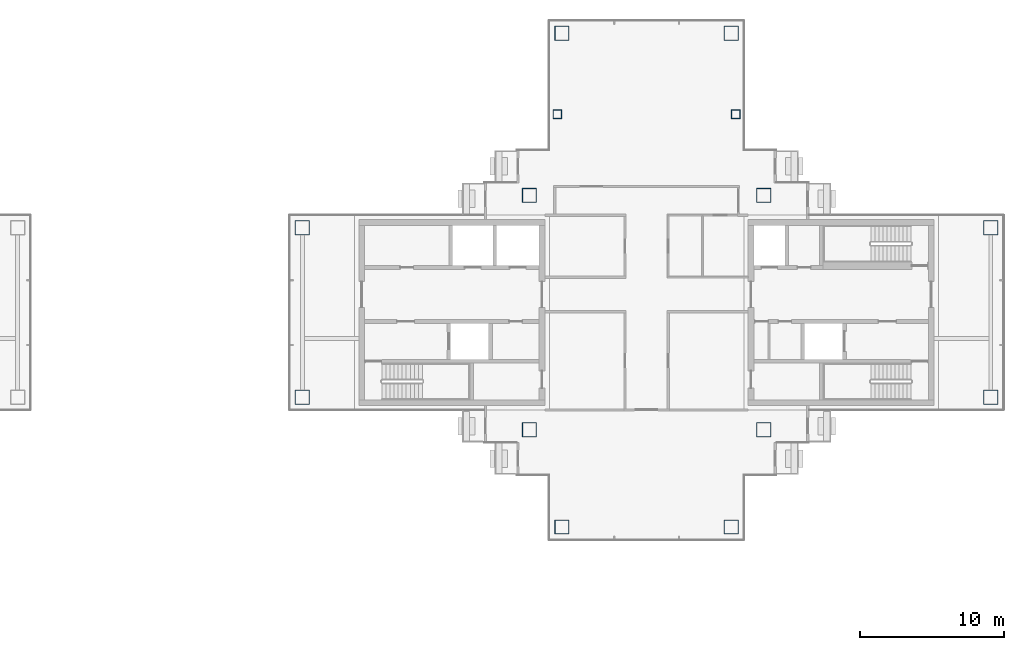
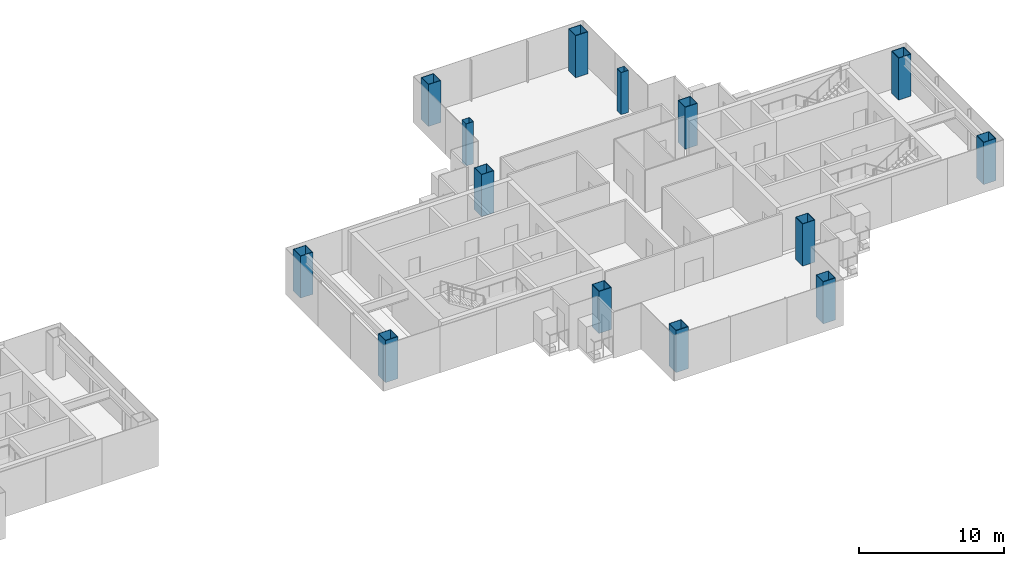
# One storey, part 2 of 16: 14 columns.
"""IFC4 building model written with IfcOpenShell, lengths in metres."""

from ifc_helpers import new_model, si_unit, direction, frame, origin, origin_2d, place, context, subcontext, project, spatial, hollow_rectangle, extrude, material, material_profile, profile_set, type_object, element, save


model = new_model("IFC4")

# Units and contexts
model_context = context("Model", 3, precision=1e-05, world=origin(), true_north=direction((0.0, 1.0)))
body_context = subcontext(model_context, "Body", "Model", "MODEL_VIEW")
ifc_project = project(units=[si_unit("LENGTHUNIT", "METRE"), si_unit("AREAUNIT", "SQUARE_METRE"), si_unit("VOLUMEUNIT", "CUBIC_METRE"), si_unit("PLANEANGLEUNIT", "RADIAN"), si_unit("MASSUNIT", "GRAM", prefix="KILO")], contexts=[model_context])

# Site, building, storey
site_placement = place(None, origin())
site = spatial("IfcSite", under=ifc_project, at=site_placement, CompositionType="ELEMENT")
building_placement = place(site_placement, origin())
building = spatial("IfcBuilding", under=site, at=building_placement, Name="Shamsa Quay Exchange Towers", CompositionType="ELEMENT")
storey_placement = place(building_placement, frame((0.0, 0.0, 213.89990234375)))
storey = spatial("IfcBuildingStorey", under=building, at=storey_placement, Name="L51", CompositionType="ELEMENT", Elevation=213.89990234375)

# Columns
ifc_material_1 = material(Name="Concrete-filled steel tube S355 / C80/95", Category="concrete")
ifc_material_profile_1 = material_profile(ifc_material_1, hollow_rectangle(XDim=1.0, YDim=1.0, WallThickness=0.0400390625, at=origin_2d()), Name="CFT 1000x1000x40")
ifc_profile_set_1 = profile_set([ifc_material_profile_1], Name="Concrete-filled steel tube S355 / C80/95")
column_type_1 = type_object("IfcColumnType", Name="Column CFT 1000x1000x40", PredefinedType="COLUMN", material=ifc_profile_set_1)
for number, where, name in (
    (1, (25.625, 8.125, 0.0), "Mega column T2-CM01"),
    (2, (41.875, 8.125, 0.0), "Mega column T2-CM02"),
    (3, (25.625, -8.125, 0.0), "Mega column T2-CM03"),
    (4, (41.875, -8.125, 0.0), "Mega column T2-CM04"),
    (5, (39.625, 19.375, 0.0), "Mega column T2-CM06"),
    (6, (27.875, 19.375, 0.0), "Mega column T2-CM10"),
    (7, (39.625, -14.875, 0.0), "Mega column T2-CM13"),
    (8, (27.875, -14.875, 0.0), "Mega column T2-CM16"),
    (9, (9.875, -5.875, 0.0), "Mega column T2-CM19"),
    (10, (9.875, 5.875, 0.0), "Mega column T2-CM20"),
    (11, (57.625, -5.875, 0.0), "Mega column T2-CM21"),
    (12, (57.625, 5.875, 0.0), "Mega column T2-CM23"),
):
    element("IfcColumn", number, at=place(storey_placement, frame(where)), inside=storey, type_object=column_type_1, Name=name, PredefinedType="COLUMN", context=body_context, shape_type="SweptSolid", body=[
        extrude(hollow_rectangle(XDim=1.0, YDim=1.0, WallThickness=0.0400390625, at=origin_2d()), origin(), (0.0, 0.0, 1.0), 3.550048828125),
    ])
ifc_material_2 = material(Name="Concrete-filled steel tube S355 / C60/75", Category="concrete")
ifc_material_profile_2 = material_profile(ifc_material_2, hollow_rectangle(XDim=0.60009765625, YDim=0.60009765625, WallThickness=0.02001953125, at=origin_2d()), Name="CFT 600x600x20")
ifc_profile_set_2 = profile_set([ifc_material_profile_2], Name="Concrete-filled steel tube S355 / C60/75")
column_type_2 = type_object("IfcColumnType", Name="Column CFT 600x600x20", PredefinedType="COLUMN", material=ifc_profile_set_2)
for number, where, name in (
    (13, (39.9375, 13.75, 0.0), "Perimeter column T2-CP05"),
    (14, (27.5625, 13.75, 0.0), "Perimeter column T2-CP09"),
):
    element("IfcColumn", number, at=place(storey_placement, frame(where)), inside=storey, type_object=column_type_2, Name=name, PredefinedType="COLUMN", context=body_context, shape_type="SweptSolid", body=[
        extrude(hollow_rectangle(XDim=0.60009765625, YDim=0.60009765625, WallThickness=0.02001953125, at=origin_2d()), origin(), (0.0, 0.0, 1.0), 3.550048828125),
    ])

save(model, "model.ifc")
